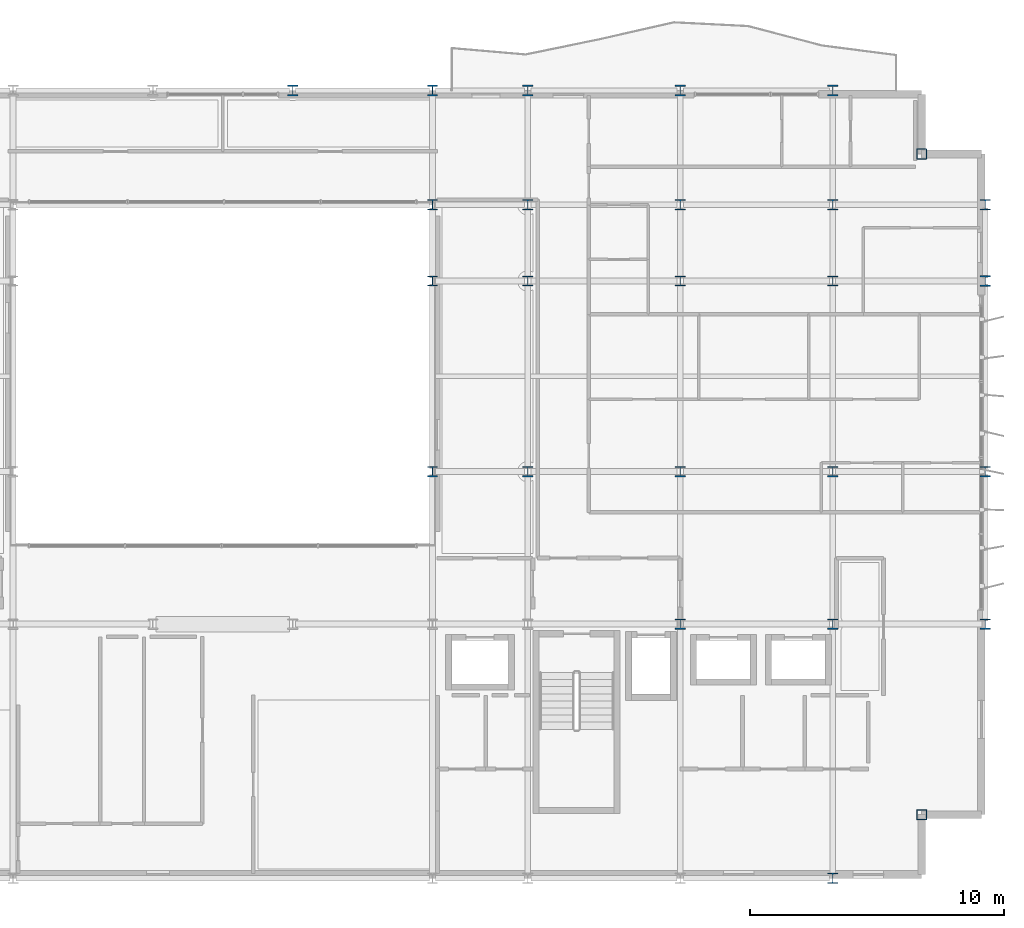
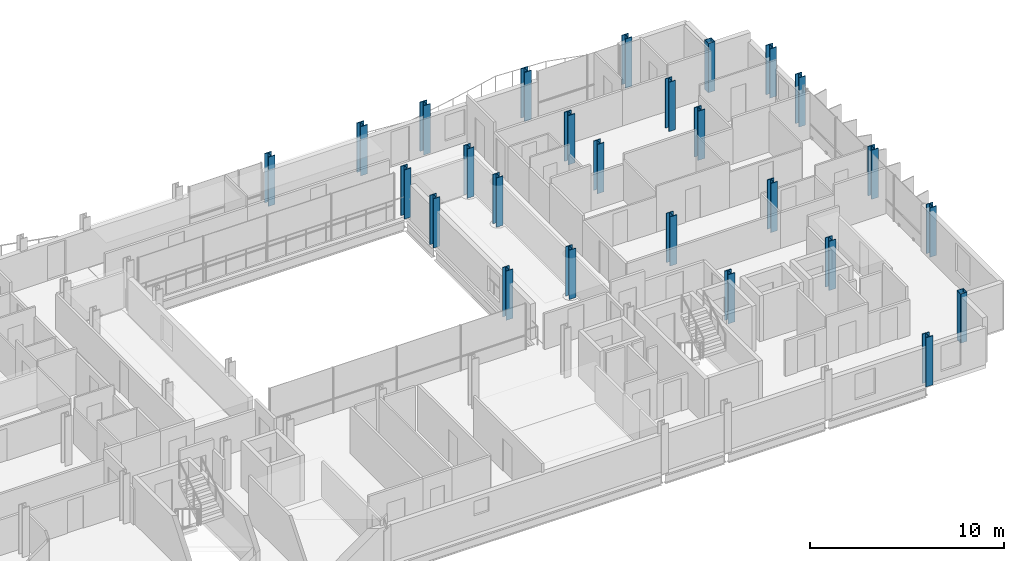
# One storey, part 2 of 40: 26 columns.
"""IFC4 building model written with IfcOpenShell, lengths in metres."""

from ifc_helpers import new_model, si_unit, direction, frame, origin, origin_2d, place, context, subcontext, project, spatial, hollow_rectangle, i_section, extrude, material, material_profile, profile_set, type_object, element, save


model = new_model("IFC4")

# Units and contexts
model_context = context("Model", 3, precision=1e-05, world=origin(), true_north=direction((0.0, 1.0)))
body_context = subcontext(model_context, "Body", "Model", "MODEL_VIEW")
ifc_project = project(units=[si_unit("LENGTHUNIT", "METRE"), si_unit("AREAUNIT", "SQUARE_METRE"), si_unit("VOLUMEUNIT", "CUBIC_METRE"), si_unit("PLANEANGLEUNIT", "RADIAN"), si_unit("MASSUNIT", "GRAM", prefix="KILO")], contexts=[model_context])

# Site, building, storey
site_placement = place(None, origin())
site = spatial("IfcSite", under=ifc_project, at=site_placement, CompositionType="ELEMENT")
building_placement = place(site_placement, origin())
building = spatial("IfcBuilding", under=site, at=building_placement, Name="Brevholm Reach", CompositionType="ELEMENT")
storey_placement = place(building_placement, frame((0.0, 0.0, 160.39990234375)))
storey = spatial("IfcBuildingStorey", under=building, at=storey_placement, Name="L48", CompositionType="ELEMENT", Elevation=160.39990234375)

# Columns
ifc_material_1 = material(Name="Structural Steel S460NH", Category="steel")
ifc_material_profile_1 = material_profile(ifc_material_1, hollow_rectangle(XDim=0.39990234375, YDim=0.39990234375, WallThickness=0.02001953125, InnerFilletRadius=0.011962890625, OuterFilletRadius=0.02392578125, at=origin_2d()), Name="SHS 400x400x20")
ifc_profile_set_1 = profile_set([ifc_material_profile_1], Name="Structural Steel S460NH")
column_type_1 = type_object("IfcColumnType", Name="COL-SHS2", PredefinedType="COLUMN", material=ifc_profile_set_1)
for number, where, z_axis, x_axis, name in (
    (1, (57.5, 2.5, 0.0), (0.0, 0.0, 1.0), (1.0, 0.0, 0.0), "L48 Column 59"),
    (2, (57.5, 28.5, 0.0), (0.0, 0.0, 1.0), (1.0, 0.0, 0.0), "L48 Column 60"),
):
    element("IfcColumn", number, at=place(storey_placement, frame(where, z_axis=z_axis, x_axis=x_axis)), inside=storey, type_object=column_type_1, Name=name, PredefinedType="COLUMN", context=body_context, shape_type="SweptSolid", body=[
        extrude(hollow_rectangle(XDim=0.39990234375, YDim=0.39990234375, WallThickness=0.02001953125, InnerFilletRadius=0.011962890625, OuterFilletRadius=0.02392578125, at=origin_2d()), origin(), (0.0, 0.0, 1.0), 3.10009765625),
    ])
ifc_material_2 = material(Name="Structural Steel S355J2", Category="steel")
ifc_material_profile_2 = material_profile(ifc_material_2, i_section(OverallWidth=0.406982421875, OverallDepth=0.4189453125, WebThickness=0.030517578125, FlangeThickness=0.04931640625, FilletRadius=0.01513671875, at=origin_2d()), Name="UKC 356x406x393")
ifc_profile_set_2 = profile_set([ifc_material_profile_2], Name="Structural Steel S355J2")
column_type_2 = type_object("IfcColumnType", Name="COL-UC4", PredefinedType="COLUMN", material=ifc_profile_set_2)
for number, where, z_axis, x_axis, name in (
    (3, (32.75, 31.0, 0.0), (0.0, 0.0, 1.0), (1.0, 0.0, 0.0), "L48 Column 34"),
    (4, (38.25, 31.0, 0.0), (0.0, 0.0, 1.0), (1.0, 0.0, 0.0), "L48 Column 40"),
    (5, (42.0, 31.0, 0.0), (0.0, 0.0, 1.0), (1.0, 0.0, 0.0), "L48 Column 46"),
    (6, (48.0, 31.0, 0.0), (0.0, 0.0, 1.0), (1.0, 0.0, 0.0), "L48 Column 52"),
    (7, (54.0, 0.0, 0.0), (0.0, 0.0, 1.0), (1.0, 0.0, 0.0), "L48 Column 53"),
    (8, (54.0, 31.0, 0.0), (0.0, 0.0, 1.0), (1.0, 0.0, 0.0), "L48 Column 58"),
    (9, (60.0, 10.0, 0.0), (0.0, 0.0, 1.0), (1.0, 0.0, 0.0), "L48 Column 61"),
    (10, (60.0, 16.0, 0.0), (0.0, 0.0, 1.0), (1.0, 0.0, 0.0), "L48 Column 62"),
    (11, (60.0, 23.5, 0.0), (0.0, 0.0, 1.0), (1.0, 0.0, 0.0), "L48 Column 63"),
    (12, (60.0, 26.5, 0.0), (0.0, 0.0, 1.0), (1.0, 0.0, 0.0), "L48 Column 64"),
):
    element("IfcColumn", number, at=place(storey_placement, frame(where, z_axis=z_axis, x_axis=x_axis)), inside=storey, type_object=column_type_2, Name=name, PredefinedType="COLUMN", context=body_context, shape_type="SweptSolid", body=[
        extrude(i_section(OverallWidth=0.406982421875, OverallDepth=0.4189453125, WebThickness=0.030517578125, FlangeThickness=0.04931640625, FilletRadius=0.01513671875, at=origin_2d()), origin(), (0.0, 0.0, 1.0), 3.10009765625),
    ])
ifc_material_3 = material(Name="Structural Steel S355J2", Category="steel")
ifc_material_profile_3 = material_profile(ifc_material_3, i_section(OverallWidth=0.403076171875, OverallDepth=0.406494140625, WebThickness=0.026611328125, FlangeThickness=0.04296875, FilletRadius=0.01513671875, at=origin_2d()), Name="UKC 356x406x340")
ifc_profile_set_3 = profile_set([ifc_material_profile_3], Name="Structural Steel S355J2")
column_type_3 = type_object("IfcColumnType", Name="COL-UC5", PredefinedType="COLUMN", material=ifc_profile_set_3)
for number, where, z_axis, x_axis, name in (
    (13, (38.25, 16.0, 0.0), (0.0, 0.0, 1.0), (1.0, 0.0, 0.0), "L48 Column 37"),
    (14, (38.25, 23.5, 0.0), (0.0, 0.0, 1.0), (1.0, 0.0, 0.0), "L48 Column 38"),
    (15, (38.25, 26.5, 0.0), (0.0, 0.0, 1.0), (1.0, 0.0, 0.0), "L48 Column 39"),
    (16, (42.0, 16.0, 0.0), (0.0, 0.0, 1.0), (1.0, 0.0, 0.0), "L48 Column 43"),
    (17, (42.0, 23.5, 0.0), (0.0, 0.0, 1.0), (1.0, 0.0, 0.0), "L48 Column 44"),
    (18, (42.0, 26.5, 0.0), (0.0, 0.0, 1.0), (1.0, 0.0, 0.0), "L48 Column 45"),
    (19, (48.0, 10.0, 0.0), (0.0, 0.0, 1.0), (1.0, 0.0, 0.0), "L48 Column 48"),
    (20, (48.0, 16.0, 0.0), (0.0, 0.0, 1.0), (1.0, 0.0, 0.0), "L48 Column 49"),
    (21, (48.0, 23.5, 0.0), (0.0, 0.0, 1.0), (1.0, 0.0, 0.0), "L48 Column 50"),
    (22, (48.0, 26.5, 0.0), (0.0, 0.0, 1.0), (1.0, 0.0, 0.0), "L48 Column 51"),
    (23, (54.0, 10.0, 0.0), (0.0, 0.0, 1.0), (1.0, 0.0, 0.0), "L48 Column 54"),
    (24, (54.0, 16.0, 0.0), (0.0, 0.0, 1.0), (1.0, 0.0, 0.0), "L48 Column 55"),
    (25, (54.0, 23.5, 0.0), (0.0, 0.0, 1.0), (1.0, 0.0, 0.0), "L48 Column 56"),
    (26, (54.0, 26.5, 0.0), (0.0, 0.0, 1.0), (1.0, 0.0, 0.0), "L48 Column 57"),
):
    element("IfcColumn", number, at=place(storey_placement, frame(where, z_axis=z_axis, x_axis=x_axis)), inside=storey, type_object=column_type_3, Name=name, PredefinedType="COLUMN", context=body_context, shape_type="SweptSolid", body=[
        extrude(i_section(OverallWidth=0.403076171875, OverallDepth=0.406494140625, WebThickness=0.026611328125, FlangeThickness=0.04296875, FilletRadius=0.01513671875, at=origin_2d()), origin(), (0.0, 0.0, 1.0), 3.10009765625),
    ])

save(model, "model.ifc")
